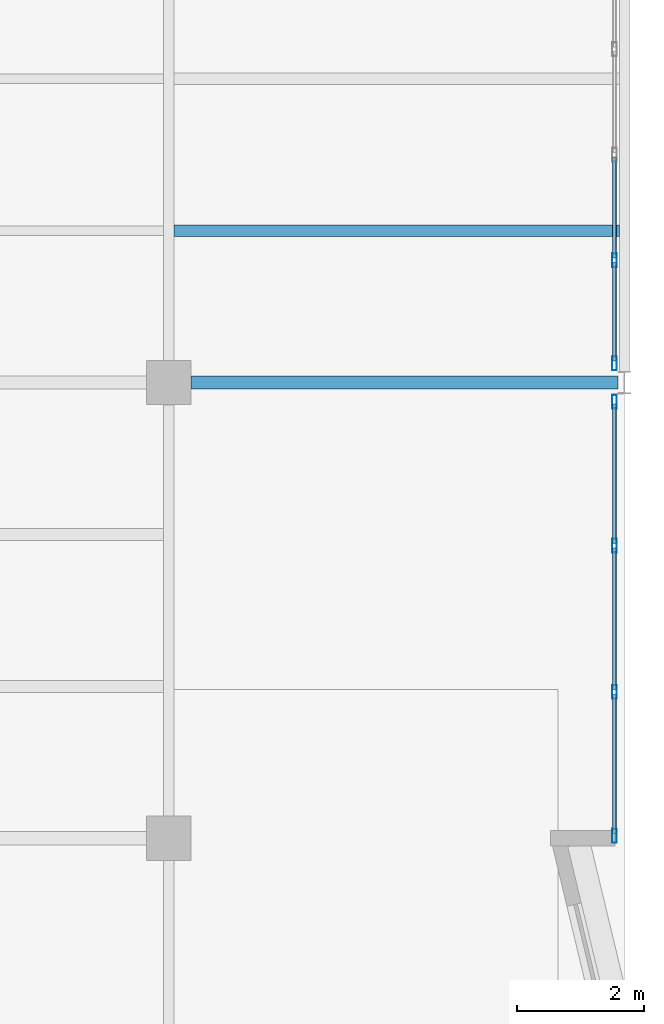
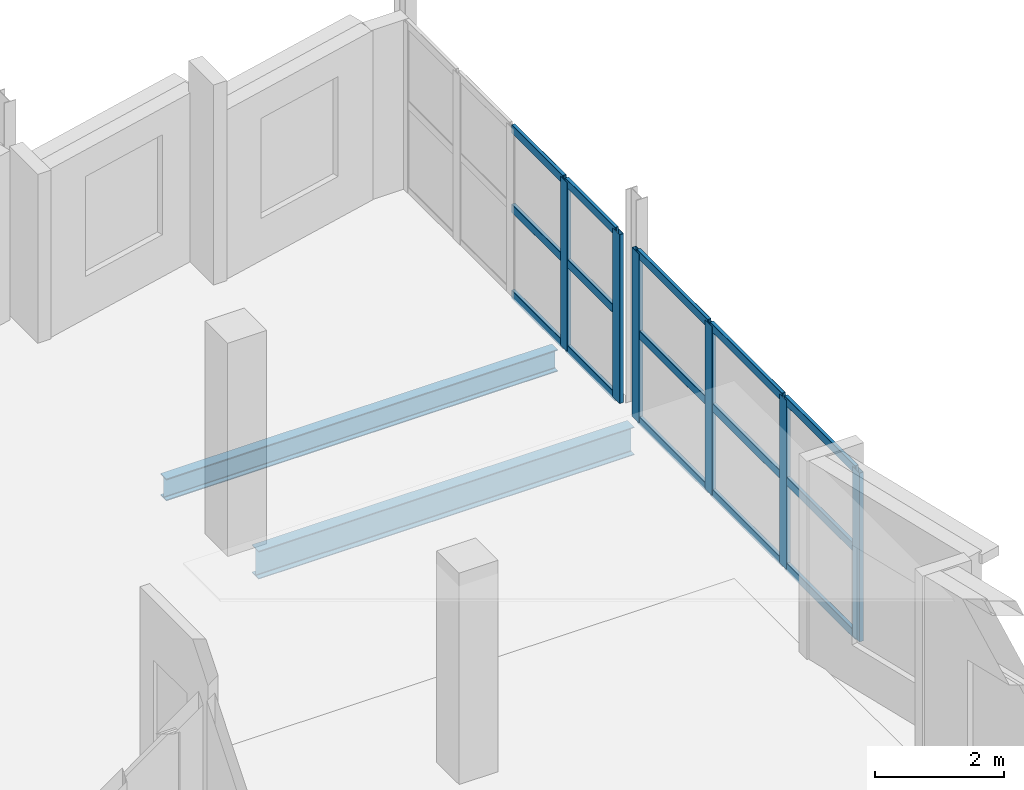
# One storey, part 8 of 33: 21 members, 2 beams, 2 elements without a shape of their own.
"""IFC4 building model written with IfcOpenShell, lengths in metres."""

from ifc_helpers import new_model, si_unit, direction, frame, origin, origin_2d, place, context, subcontext, project, spatial, hollow_rectangle, i_section, extrude, material, material_profile, profile_set, type_object, element, aggregate, save


model = new_model("IFC4")

# Units and contexts
model_context = context("Model", 3, precision=1e-05, world=origin(), true_north=direction((0.0, 1.0)))
body_context = subcontext(model_context, "Body", "Model", "MODEL_VIEW")
ifc_project = project(units=[si_unit("LENGTHUNIT", "METRE"), si_unit("AREAUNIT", "SQUARE_METRE"), si_unit("VOLUMEUNIT", "CUBIC_METRE"), si_unit("PLANEANGLEUNIT", "RADIAN"), si_unit("MASSUNIT", "GRAM", prefix="KILO")], contexts=[model_context])

# Site, building, storey
site_placement = place(None, origin())
site = spatial("IfcSite", under=ifc_project, at=site_placement, CompositionType="ELEMENT")
building_placement = place(site_placement, origin())
building = spatial("IfcBuilding", under=site, at=building_placement, Name="Kalmorath City Hall", CompositionType="ELEMENT")
storey_placement = place(building_placement, frame((0.0, 0.0, 22.949951171875)))
storey = spatial("IfcBuildingStorey", under=building, at=storey_placement, Name="L05", CompositionType="ELEMENT", Elevation=22.949951171875)

# Curtain wall, members
ifc_material_1 = material(Name="Anodised aluminium and laminated glass", Category="aluminium")
curtain_wall_type_1 = type_object("IfcCurtainWallType", Name="Unitised hurricane curtain wall 6670x3206 M1500", PredefinedType="NOTDEFINED", material=ifc_material_1)
curtain_wall_1_placement = place(storey_placement, origin())
curtain_wall_1 = element("IfcCurtainWall", 1, at=curtain_wall_1_placement, inside=storey, type_object=curtain_wall_type_1, Name="L05 curtain wall CW-67X32M15 #168", PredefinedType="NOTDEFINED")
ifc_material_2 = material(Name="Anodised aluminium framing", Category="aluminium")
ifc_material_profile_1 = material_profile(ifc_material_2, hollow_rectangle(XDim=0.074951171875, YDim=0.219970703125, WallThickness=0.00390625, InnerFilletRadius=0.00390625, OuterFilletRadius=0.008056640625, at=origin_2d()), Name="ALU-MUL-220X75X4")
ifc_profile_set_1 = profile_set([ifc_material_profile_1], Name="Anodised aluminium framing")
member_type_1 = type_object("IfcMemberType", Name="Curtain-wall primary mullion 220x75", PredefinedType="MULLION", material=ifc_profile_set_1)
member_1_placement = place(storey_placement, frame((35.840087890625, 30.732421875, 0.0), z_axis=(0.0, 0.0, 1.0), x_axis=(1.0, 0.0, 0.0)))
member_1 = element("IfcMember", 2, at=member_1_placement, type_object=member_type_1, Name="CW-67X32M15 mullion 4", PredefinedType="MULLION", context=body_context, shape_type="SweptSolid", body=[
    extrude(hollow_rectangle(XDim=0.074951171875, YDim=0.219970703125, WallThickness=0.00390625, InnerFilletRadius=0.00390625, OuterFilletRadius=0.008056640625, at=origin_2d()), origin(), (0.0, 0.0, 1.0), 3.2060546875),
])
member_2_placement = place(storey_placement, frame((35.840087890625, 29.1025390625, 0.0), z_axis=(0.0, 0.0, 1.0), x_axis=(1.0, 0.0, 0.0)))
member_2 = element("IfcMember", 3, at=member_2_placement, type_object=member_type_1, Name="CW-67X32M15 mullion 5", PredefinedType="MULLION", context=body_context, shape_type="SweptSolid", body=[
    extrude(hollow_rectangle(XDim=0.074951171875, YDim=0.219970703125, WallThickness=0.00390625, InnerFilletRadius=0.00390625, OuterFilletRadius=0.008056640625, at=origin_2d()), origin(), (0.0, 0.0, 1.0), 3.2060546875),
])

ifc_material_3 = material(Name="Anodised aluminium and laminated glass", Category="aluminium")
curtain_wall_type_2 = type_object("IfcCurtainWallType", Name="Unitised hurricane curtain wall 6935x3206 M2100", PredefinedType="NOTDEFINED", material=ifc_material_3)
curtain_wall_2_placement = place(storey_placement, origin())
curtain_wall_2 = element("IfcCurtainWall", 4, at=curtain_wall_2_placement, inside=storey, type_object=curtain_wall_type_2, Name="L05 curtain wall CW-69X32M21 #169", PredefinedType="NOTDEFINED")
member_3_placement = place(storey_placement, frame((35.840087890625, 28.49755859375, 0.0), z_axis=(0.0, 0.0, 1.0), x_axis=(1.0, 0.0, 0.0)))
member_3 = element("IfcMember", 5, at=member_3_placement, type_object=member_type_1, Name="CW-69X32M21 mullion 1", PredefinedType="MULLION", context=body_context, shape_type="SweptSolid", body=[
    extrude(hollow_rectangle(XDim=0.074951171875, YDim=0.219970703125, WallThickness=0.00390625, InnerFilletRadius=0.00390625, OuterFilletRadius=0.008056640625, at=origin_2d()), origin(), (0.0, 0.0, 1.0), 3.2060546875),
])
member_4_placement = place(storey_placement, frame((35.840087890625, 26.223388671875, 0.0), z_axis=(0.0, 0.0, 1.0), x_axis=(1.0, 0.0, 0.0)))
member_4 = element("IfcMember", 6, at=member_4_placement, type_object=member_type_1, Name="CW-69X32M21 mullion 2", PredefinedType="MULLION", context=body_context, shape_type="SweptSolid", body=[
    extrude(hollow_rectangle(XDim=0.074951171875, YDim=0.219970703125, WallThickness=0.00390625, InnerFilletRadius=0.00390625, OuterFilletRadius=0.008056640625, at=origin_2d()), origin(), (0.0, 0.0, 1.0), 3.2060546875),
])
member_5_placement = place(storey_placement, frame((35.840087890625, 23.91162109375, 0.0), z_axis=(0.0, 0.0, 1.0), x_axis=(1.0, 0.0, 0.0)))
member_5 = element("IfcMember", 7, at=member_5_placement, type_object=member_type_1, Name="CW-69X32M21 mullion 3", PredefinedType="MULLION", context=body_context, shape_type="SweptSolid", body=[
    extrude(hollow_rectangle(XDim=0.074951171875, YDim=0.219970703125, WallThickness=0.00390625, InnerFilletRadius=0.00390625, OuterFilletRadius=0.008056640625, at=origin_2d()), origin(), (0.0, 0.0, 1.0), 3.2060546875),
])
member_6_placement = place(storey_placement, frame((35.840087890625, 21.637451171875, 0.0), z_axis=(0.0, 0.0, 1.0), x_axis=(1.0, 0.0, 0.0)))
member_6 = element("IfcMember", 8, at=member_6_placement, type_object=member_type_1, Name="CW-69X32M21 mullion 4", PredefinedType="MULLION", context=body_context, shape_type="SweptSolid", body=[
    extrude(hollow_rectangle(XDim=0.074951171875, YDim=0.219970703125, WallThickness=0.00390625, InnerFilletRadius=0.00390625, OuterFilletRadius=0.008056640625, at=origin_2d()), origin(), (0.0, 0.0, 1.0), 3.2060546875),
])

# Member
ifc_material_4 = material(Name="Anodised aluminium framing", Category="aluminium")
ifc_material_profile_2 = material_profile(ifc_material_4, hollow_rectangle(XDim=0.06494140625, YDim=0.159912109375, WallThickness=0.00390625, InnerFilletRadius=0.00390625, OuterFilletRadius=0.008056640625, at=origin_2d()), Name="ALU-TRN-160X65X4")
ifc_profile_set_2 = profile_set([ifc_material_profile_2], Name="Anodised aluminium framing")
member_type_2 = type_object("IfcMemberType", Name="Curtain-wall primary transom 160x65", PredefinedType="USERDEFINED", material=ifc_profile_set_2)
member_7_placement = place(storey_placement, frame((35.840087890625, 32.362548828125, 0.032470703125), z_axis=(0.0, -1.0, 0.0), x_axis=(1.0, 0.0, 0.0)))
member_7 = element("IfcMember", 9, at=member_7_placement, type_object=member_type_2, Name="CW-67X32M15 transom 3.1", ObjectType="TRANSOM", PredefinedType="USERDEFINED", context=body_context, shape_type="SweptSolid", body=[
    extrude(hollow_rectangle(XDim=0.06494140625, YDim=0.159912109375, WallThickness=0.00390625, InnerFilletRadius=0.00390625, OuterFilletRadius=0.008056640625, at=origin_2d()), origin(), (0.0, 0.0, 1.0), 1.592529296875),
])

member_8_placement = place(storey_placement, frame((35.840087890625, 32.362548828125, 1.6669921875), z_axis=(0.0, -1.0, 0.0), x_axis=(1.0, 0.0, 0.0)))
member_8 = element("IfcMember", 10, at=member_8_placement, type_object=member_type_2, Name="CW-67X32M15 transom 3.2", ObjectType="TRANSOM", PredefinedType="USERDEFINED", context=body_context, shape_type="SweptSolid", body=[
    extrude(hollow_rectangle(XDim=0.06494140625, YDim=0.159912109375, WallThickness=0.00390625, InnerFilletRadius=0.00390625, OuterFilletRadius=0.008056640625, at=origin_2d()), origin(), (0.0, 0.0, 1.0), 1.592529296875),
])

member_9_placement = place(storey_placement, frame((35.840087890625, 32.362548828125, 3.173583984375), z_axis=(0.0, -1.0, 0.0), x_axis=(1.0, 0.0, 0.0)))
member_9 = element("IfcMember", 11, at=member_9_placement, type_object=member_type_2, Name="CW-67X32M15 transom 3.3", ObjectType="TRANSOM", PredefinedType="USERDEFINED", context=body_context, shape_type="SweptSolid", body=[
    extrude(hollow_rectangle(XDim=0.06494140625, YDim=0.159912109375, WallThickness=0.00390625, InnerFilletRadius=0.00390625, OuterFilletRadius=0.008056640625, at=origin_2d()), origin(), (0.0, 0.0, 1.0), 1.592529296875),
])

member_10_placement = place(storey_placement, frame((35.840087890625, 30.695068359375, 0.032470703125), z_axis=(0.0, -1.0, 0.0), x_axis=(1.0, 0.0, 0.0)))
member_10 = element("IfcMember", 12, at=member_10_placement, type_object=member_type_2, Name="CW-67X32M15 transom 4.1", ObjectType="TRANSOM", PredefinedType="USERDEFINED", context=body_context, shape_type="SweptSolid", body=[
    extrude(hollow_rectangle(XDim=0.06494140625, YDim=0.159912109375, WallThickness=0.00390625, InnerFilletRadius=0.00390625, OuterFilletRadius=0.008056640625, at=origin_2d()), origin(), (0.0, 0.0, 1.0), 1.55517578125),
])

member_11_placement = place(storey_placement, frame((35.840087890625, 30.695068359375, 1.6669921875), z_axis=(0.0, -1.0, 0.0), x_axis=(1.0, 0.0, 0.0)))
member_11 = element("IfcMember", 13, at=member_11_placement, type_object=member_type_2, Name="CW-67X32M15 transom 4.2", ObjectType="TRANSOM", PredefinedType="USERDEFINED", context=body_context, shape_type="SweptSolid", body=[
    extrude(hollow_rectangle(XDim=0.06494140625, YDim=0.159912109375, WallThickness=0.00390625, InnerFilletRadius=0.00390625, OuterFilletRadius=0.008056640625, at=origin_2d()), origin(), (0.0, 0.0, 1.0), 1.55517578125),
])

member_12_placement = place(storey_placement, frame((35.840087890625, 30.695068359375, 3.173583984375), z_axis=(0.0, -1.0, 0.0), x_axis=(1.0, 0.0, 0.0)))
member_12 = element("IfcMember", 14, at=member_12_placement, type_object=member_type_2, Name="CW-67X32M15 transom 4.3", ObjectType="TRANSOM", PredefinedType="USERDEFINED", context=body_context, shape_type="SweptSolid", body=[
    extrude(hollow_rectangle(XDim=0.06494140625, YDim=0.159912109375, WallThickness=0.00390625, InnerFilletRadius=0.00390625, OuterFilletRadius=0.008056640625, at=origin_2d()), origin(), (0.0, 0.0, 1.0), 1.55517578125),
])

aggregate(curtain_wall_1, [member_1, member_2, member_7, member_8, member_9, member_10, member_11, member_12])

member_13_placement = place(storey_placement, frame((35.840087890625, 28.4599609375, 0.032470703125), z_axis=(0.0, -1.0, 0.0), x_axis=(1.0, 0.0, 0.0)))
member_13 = element("IfcMember", 15, at=member_13_placement, type_object=member_type_2, Name="CW-69X32M21 transom 1.1", ObjectType="TRANSOM", PredefinedType="USERDEFINED", context=body_context, shape_type="SweptSolid", body=[
    extrude(hollow_rectangle(XDim=0.06494140625, YDim=0.159912109375, WallThickness=0.00390625, InnerFilletRadius=0.00390625, OuterFilletRadius=0.008056640625, at=origin_2d()), origin(), (0.0, 0.0, 1.0), 2.19921875),
])

member_14_placement = place(storey_placement, frame((35.840087890625, 28.4599609375, 1.6669921875), z_axis=(0.0, -1.0, 0.0), x_axis=(1.0, 0.0, 0.0)))
member_14 = element("IfcMember", 16, at=member_14_placement, type_object=member_type_2, Name="CW-69X32M21 transom 1.2", ObjectType="TRANSOM", PredefinedType="USERDEFINED", context=body_context, shape_type="SweptSolid", body=[
    extrude(hollow_rectangle(XDim=0.06494140625, YDim=0.159912109375, WallThickness=0.00390625, InnerFilletRadius=0.00390625, OuterFilletRadius=0.008056640625, at=origin_2d()), origin(), (0.0, 0.0, 1.0), 2.19921875),
])

member_15_placement = place(storey_placement, frame((35.840087890625, 28.4599609375, 3.173583984375), z_axis=(0.0, -1.0, 0.0), x_axis=(1.0, 0.0, 0.0)))
member_15 = element("IfcMember", 17, at=member_15_placement, type_object=member_type_2, Name="CW-69X32M21 transom 1.3", ObjectType="TRANSOM", PredefinedType="USERDEFINED", context=body_context, shape_type="SweptSolid", body=[
    extrude(hollow_rectangle(XDim=0.06494140625, YDim=0.159912109375, WallThickness=0.00390625, InnerFilletRadius=0.00390625, OuterFilletRadius=0.008056640625, at=origin_2d()), origin(), (0.0, 0.0, 1.0), 2.19921875),
])

member_16_placement = place(storey_placement, frame((35.840087890625, 26.185791015625, 0.032470703125), z_axis=(0.0, -1.0, 0.0), x_axis=(1.0, 0.0, 0.0)))
member_16 = element("IfcMember", 18, at=member_16_placement, type_object=member_type_2, Name="CW-69X32M21 transom 2.1", ObjectType="TRANSOM", PredefinedType="USERDEFINED", context=body_context, shape_type="SweptSolid", body=[
    extrude(hollow_rectangle(XDim=0.06494140625, YDim=0.159912109375, WallThickness=0.00390625, InnerFilletRadius=0.00390625, OuterFilletRadius=0.008056640625, at=origin_2d()), origin(), (0.0, 0.0, 1.0), 2.236572265625),
])

member_17_placement = place(storey_placement, frame((35.840087890625, 26.185791015625, 1.6669921875), z_axis=(0.0, -1.0, 0.0), x_axis=(1.0, 0.0, 0.0)))
member_17 = element("IfcMember", 19, at=member_17_placement, type_object=member_type_2, Name="CW-69X32M21 transom 2.2", ObjectType="TRANSOM", PredefinedType="USERDEFINED", context=body_context, shape_type="SweptSolid", body=[
    extrude(hollow_rectangle(XDim=0.06494140625, YDim=0.159912109375, WallThickness=0.00390625, InnerFilletRadius=0.00390625, OuterFilletRadius=0.008056640625, at=origin_2d()), origin(), (0.0, 0.0, 1.0), 2.236572265625),
])

member_18_placement = place(storey_placement, frame((35.840087890625, 26.185791015625, 3.173583984375), z_axis=(0.0, -1.0, 0.0), x_axis=(1.0, 0.0, 0.0)))
member_18 = element("IfcMember", 20, at=member_18_placement, type_object=member_type_2, Name="CW-69X32M21 transom 2.3", ObjectType="TRANSOM", PredefinedType="USERDEFINED", context=body_context, shape_type="SweptSolid", body=[
    extrude(hollow_rectangle(XDim=0.06494140625, YDim=0.159912109375, WallThickness=0.00390625, InnerFilletRadius=0.00390625, OuterFilletRadius=0.008056640625, at=origin_2d()), origin(), (0.0, 0.0, 1.0), 2.236572265625),
])

member_19_placement = place(storey_placement, frame((35.840087890625, 23.874267578125, 0.032470703125), z_axis=(0.0, -1.0, 0.0), x_axis=(1.0, 0.0, 0.0)))
member_19 = element("IfcMember", 21, at=member_19_placement, type_object=member_type_2, Name="CW-69X32M21 transom 3.1", ObjectType="TRANSOM", PredefinedType="USERDEFINED", context=body_context, shape_type="SweptSolid", body=[
    extrude(hollow_rectangle(XDim=0.06494140625, YDim=0.159912109375, WallThickness=0.00390625, InnerFilletRadius=0.00390625, OuterFilletRadius=0.008056640625, at=origin_2d()), origin(), (0.0, 0.0, 1.0), 2.19921875),
])

member_20_placement = place(storey_placement, frame((35.840087890625, 23.874267578125, 1.6669921875), z_axis=(0.0, -1.0, 0.0), x_axis=(1.0, 0.0, 0.0)))
member_20 = element("IfcMember", 22, at=member_20_placement, type_object=member_type_2, Name="CW-69X32M21 transom 3.2", ObjectType="TRANSOM", PredefinedType="USERDEFINED", context=body_context, shape_type="SweptSolid", body=[
    extrude(hollow_rectangle(XDim=0.06494140625, YDim=0.159912109375, WallThickness=0.00390625, InnerFilletRadius=0.00390625, OuterFilletRadius=0.008056640625, at=origin_2d()), origin(), (0.0, 0.0, 1.0), 2.19921875),
])

member_21_placement = place(storey_placement, frame((35.840087890625, 23.874267578125, 3.173583984375), z_axis=(0.0, -1.0, 0.0), x_axis=(1.0, 0.0, 0.0)))
member_21 = element("IfcMember", 23, at=member_21_placement, type_object=member_type_2, Name="CW-69X32M21 transom 3.3", ObjectType="TRANSOM", PredefinedType="USERDEFINED", context=body_context, shape_type="SweptSolid", body=[
    extrude(hollow_rectangle(XDim=0.06494140625, YDim=0.159912109375, WallThickness=0.00390625, InnerFilletRadius=0.00390625, OuterFilletRadius=0.008056640625, at=origin_2d()), origin(), (0.0, 0.0, 1.0), 2.19921875),
])

aggregate(curtain_wall_2, [member_3, member_4, member_5, member_6, member_13, member_14, member_15, member_16, member_17, member_18, member_19, member_20, member_21])

# Beams
ifc_material_5 = material(Name="Steel ASTM A992 Grade 50", Category="steel")
ifc_material_profile_3 = material_profile(ifc_material_5, i_section(OverallWidth=0.180908203125, OverallDepth=0.4169921875, WebThickness=0.010986328125, FlangeThickness=0.018310546875, FilletRadius=0.012939453125, at=origin_2d()), Name="W16X57")
ifc_profile_set_3 = profile_set([ifc_material_profile_3], Name="Steel ASTM A992 Grade 50")
beam_type_1 = type_object("IfcBeamType", Name="Steel composite joist W16X57", PredefinedType="JOIST", material=ifc_profile_set_3)
beam_1_placement = place(storey_placement, frame((28.883544921875, 31.199951171875, -0.50244140625), z_axis=(1.0, 0.0, 0.0), x_axis=(0.0, 1.0, 0.0)))
element("IfcBeam", 24, at=beam_1_placement, inside=storey, type_object=beam_type_1, Name="L05 joist SJ5 5.5.1", PredefinedType="JOIST", context=body_context, shape_type="SweptSolid", body=[
    extrude(i_section(OverallWidth=0.180908203125, OverallDepth=0.4169921875, WebThickness=0.010986328125, FlangeThickness=0.018310546875, FilletRadius=0.012939453125, at=origin_2d()), origin(), (0.0, 0.0, 1.0), 7.033935546875),
])
ifc_material_6 = material(Name="Steel ASTM A992 Grade 50", Category="steel")
ifc_material_profile_4 = material_profile(ifc_material_6, i_section(OverallWidth=0.208984375, OverallDepth=0.532958984375, WebThickness=0.01025390625, FlangeThickness=0.015625, FilletRadius=0.014892578125, at=origin_2d()), Name="W21X62")
ifc_profile_set_4 = profile_set([ifc_material_profile_4], Name="Steel ASTM A992 Grade 50")
beam_type_2 = type_object("IfcBeamType", Name="Steel floor beam W21X62", PredefinedType="BEAM", material=ifc_profile_set_4)
beam_2_placement = place(storey_placement, frame((29.14990234375, 28.800048828125, -0.560546875), z_axis=(1.0, 0.0, 0.0), x_axis=(0.0, 1.0, 0.0)))
element("IfcBeam", 25, at=beam_2_placement, inside=storey, type_object=beam_type_2, Name="L05 girder SB2 X5-6/5", PredefinedType="BEAM", context=body_context, shape_type="SweptSolid", body=[
    extrude(i_section(OverallWidth=0.208984375, OverallDepth=0.532958984375, WebThickness=0.01025390625, FlangeThickness=0.015625, FilletRadius=0.014892578125, at=origin_2d()), origin(), (0.0, 0.0, 1.0), 6.748046875),
])

save(model, "model.ifc")
